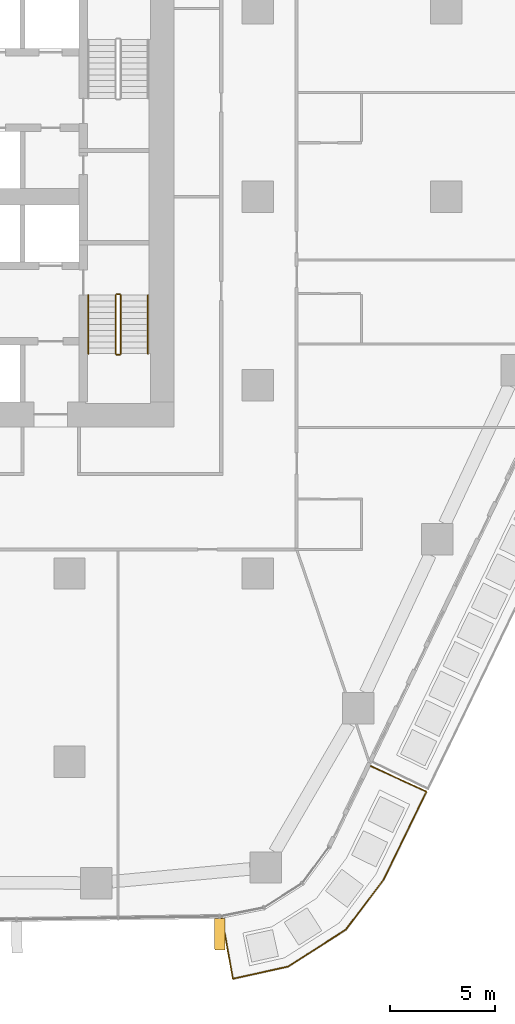
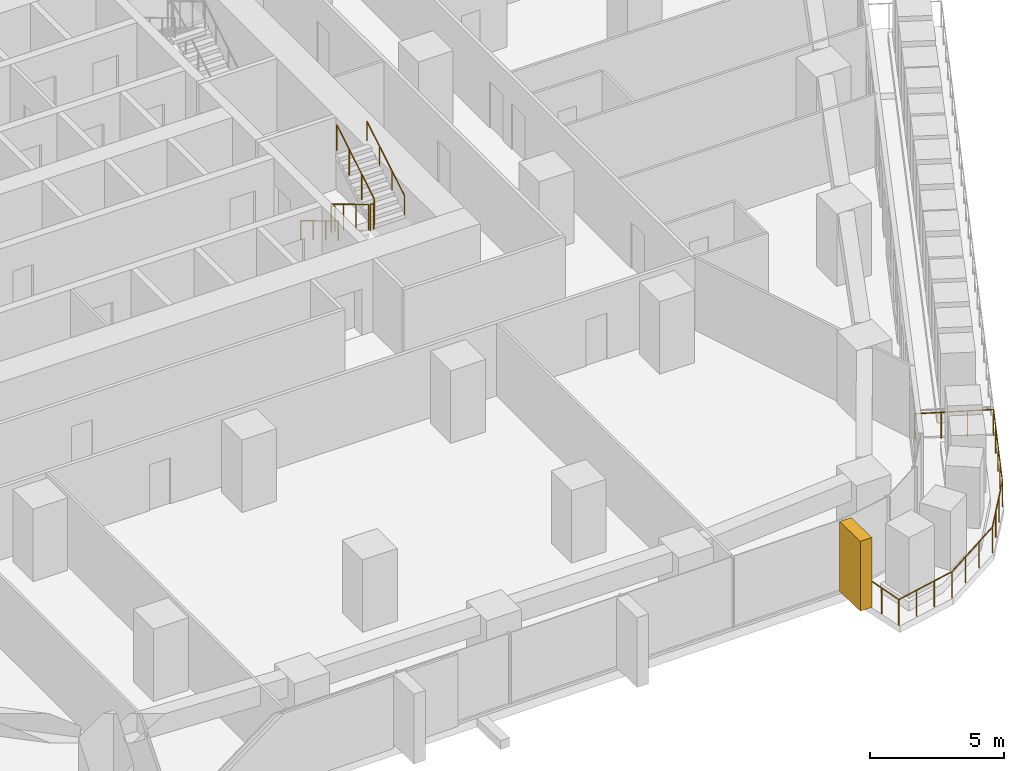
# One storey, part 20 of 24: 7 railings, 1 covering, 1 element without a shape of its own.
"""IFC4 building model written with IfcOpenShell, lengths in metres."""

from ifc_helpers import new_model, si_unit, direction, frame, origin, origin_2d, place, context, subcontext, project, spatial, rectangle, circle, extrude, material, layer, layer_set, material_profile, profile_set, type_object, element, aggregate, save


model = new_model("IFC4")

# Units and contexts
model_context = context("Model", 3, precision=1e-05, world=origin(), true_north=direction((0.0, 1.0)))
body_context = subcontext(model_context, "Body", "Model", "MODEL_VIEW")
ifc_project = project(units=[si_unit("LENGTHUNIT", "METRE"), si_unit("AREAUNIT", "SQUARE_METRE"), si_unit("VOLUMEUNIT", "CUBIC_METRE"), si_unit("PLANEANGLEUNIT", "RADIAN"), si_unit("MASSUNIT", "GRAM", prefix="KILO")], contexts=[model_context])

# Site, building, storey
site_placement = place(None, origin())
site = spatial("IfcSite", under=ifc_project, at=site_placement, CompositionType="ELEMENT")
building_placement = place(site_placement, origin())
building = spatial("IfcBuilding", under=site, at=building_placement, Name="Dongbaek Canopy Tower", CompositionType="ELEMENT")
storey_placement = place(building_placement, frame((0.0, 0.0, 44.0)))
storey = spatial("IfcBuildingStorey", under=building, at=storey_placement, Name="L06", CompositionType="ELEMENT", Elevation=44.0)

# Railing
ifc_material_1 = material(Name="Stainless steel", Category="steel")
railing_type_1 = type_object("IfcRailingType", Name="Balcony balustrade 1200", PredefinedType="BALUSTRADE", material=ifc_material_1)
railing_1_placement = place(storey_placement, frame((16.285400390625, -34.465576171875, 0.0)))
element("IfcRailing", 1, at=railing_1_placement, inside=storey, type_object=railing_type_1, Name="Balcony guard L06 7", PredefinedType="BALUSTRADE", context=body_context, shape_type="SweptSolid", body=[
    extrude(circle(Radius=0.02392578125, at=origin_2d()), frame((0.0, 0.0, 1.17578125), z_axis=(0.177592074624, -0.984104189114, 0.0), x_axis=(0.984104189114, 0.177592074624, 0.0)), (0.0, 0.0, 1.0), 2.9404296875),
    extrude(circle(Radius=0.02392578125, at=origin_2d()), frame((0.522216796875, -2.893798828125, 1.17578125), z_axis=(0.976442797021, 0.215776421663, 0.0), x_axis=(-0.215776421663, 0.976442797021, 0.0)), (0.0, 0.0, 1.0), 2.688232421875),
    extrude(circle(Radius=0.02392578125, at=origin_2d()), frame((3.147216796875, -2.313720703125, 1.17578125), z_axis=(0.843234796524, 0.537545419413, 0.0), x_axis=(-0.537545419413, 0.843234796524, 0.0)), (0.0, 0.0, 1.0), 3.27685546875),
    extrude(circle(Radius=0.02392578125, at=origin_2d()), frame((5.910400390625, -0.55224609375, 1.17578125), z_axis=(0.60281357482, 0.797882067735, 0.0), x_axis=(-0.797882067735, 0.60281357482, 0.0)), (0.0, 0.0, 1.0), 3.0087890625),
    extrude(circle(Radius=0.02392578125, at=origin_2d()), frame((7.72412109375, 1.848388671875, 1.17578125), z_axis=(0.43764971219, 0.899145555191, 0.0), x_axis=(-0.899145555191, 0.43764971219, 0.0)), (0.0, 0.0, 1.0), 4.668701171875),
    extrude(circle(Radius=0.02392578125, at=origin_2d()), frame((9.767333984375, 6.046142578125, 1.17578125), z_axis=(-0.908996672523, 0.416803370119, 0.0), x_axis=(-0.416803370119, -0.908996672523, 0.0)), (0.0, 0.0, 1.0), 2.9404296875),
    extrude(circle(Radius=0.02099609375, at=origin_2d()), origin(), (0.0, 0.0, 1.0), 1.15185546875),
    extrude(circle(Radius=0.02099609375, at=origin_2d()), frame((0.174072265625, -0.964599609375, 0.0)), (0.0, 0.0, 1.0), 1.15185546875),
    extrude(circle(Radius=0.02099609375, at=origin_2d()), frame((0.34814453125, -1.92919921875, 0.0)), (0.0, 0.0, 1.0), 1.15185546875),
    extrude(circle(Radius=0.02099609375, at=origin_2d()), frame((0.522216796875, -2.893798828125, 0.0)), (0.0, 0.0, 1.0), 1.15185546875),
    extrude(circle(Radius=0.02099609375, at=origin_2d()), frame((1.397216796875, -2.700439453125, 0.0)), (0.0, 0.0, 1.0), 1.15185546875),
    extrude(circle(Radius=0.02099609375, at=origin_2d()), frame((2.272216796875, -2.507080078125, 0.0)), (0.0, 0.0, 1.0), 1.15185546875),
    extrude(circle(Radius=0.02099609375, at=origin_2d()), frame((3.147216796875, -2.313720703125, 0.0)), (0.0, 0.0, 1.0), 1.15185546875),
    extrude(circle(Radius=0.02099609375, at=origin_2d()), frame((4.068359375, -1.7265625, 0.0)), (0.0, 0.0, 1.0), 1.15185546875),
    extrude(circle(Radius=0.02099609375, at=origin_2d()), frame((4.9892578125, -1.139404296875, 0.0)), (0.0, 0.0, 1.0), 1.15185546875),
    extrude(circle(Radius=0.02099609375, at=origin_2d()), frame((5.910400390625, -0.55224609375, 0.0)), (0.0, 0.0, 1.0), 1.15185546875),
    extrude(circle(Radius=0.02099609375, at=origin_2d()), frame((6.514892578125, 0.248046875, 0.0)), (0.0, 0.0, 1.0), 1.15185546875),
    extrude(circle(Radius=0.02099609375, at=origin_2d()), frame((7.11962890625, 1.048095703125, 0.0)), (0.0, 0.0, 1.0), 1.15185546875),
    extrude(circle(Radius=0.02099609375, at=origin_2d()), frame((7.72412109375, 1.848388671875, 0.0)), (0.0, 0.0, 1.0), 1.15185546875),
    extrude(circle(Radius=0.02099609375, at=origin_2d()), frame((8.23486328125, 2.89794921875, 0.0)), (0.0, 0.0, 1.0), 1.15185546875),
    extrude(circle(Radius=0.02099609375, at=origin_2d()), frame((8.74560546875, 3.947265625, 0.0)), (0.0, 0.0, 1.0), 1.15185546875),
    extrude(circle(Radius=0.02099609375, at=origin_2d()), frame((9.256591796875, 4.99658203125, 0.0)), (0.0, 0.0, 1.0), 1.15185546875),
    extrude(circle(Radius=0.02099609375, at=origin_2d()), frame((9.767333984375, 6.046142578125, 0.0)), (0.0, 0.0, 1.0), 1.15185546875),
    extrude(circle(Radius=0.02099609375, at=origin_2d()), frame((8.87646484375, 6.45458984375, 0.0)), (0.0, 0.0, 1.0), 1.15185546875),
    extrude(circle(Radius=0.02099609375, at=origin_2d()), frame((7.9853515625, 6.86328125, 0.0)), (0.0, 0.0, 1.0), 1.15185546875),
    extrude(circle(Radius=0.02099609375, at=origin_2d()), frame((7.094482421875, 7.271728515625, 0.0)), (0.0, 0.0, 1.0), 1.15185546875),
])

# Curtain wall, covering
ifc_material_2 = material(Name="Aluminium 6063-T6 pale anodised", Category="aluminium")
ifc_layer = layer(ifc_material_2, 0.199951171875)
ifc_layer_set = layer_set([ifc_layer], Name="CW-1 unitised tower curtain wall")
curtain_wall_type = type_object("IfcCurtainWallType", Name="CW-1 unitised tower curtain wall", PredefinedType="NOTDEFINED", material=ifc_layer_set)
curtain_wall_placement = place(storey_placement, origin())
curtain_wall = element("IfcCurtainWall", 2, at=curtain_wall_placement, inside=storey, type_object=curtain_wall_type, Name="CW-1 curtain wall F4.1", PredefinedType="NOTDEFINED")
ifc_material_3 = material(Name="Aluminium 6063-T6 pale metal fin", Category="aluminium")
ifc_material_profile = material_profile(ifc_material_3, rectangle(XDim=1.5, YDim=0.5, at=origin_2d()), Name="Fin FN1 500 x 1500 pale metal")
ifc_profile_set = profile_set([ifc_material_profile], Name="Aluminium 6063-T6 pale metal fin")
covering_type = type_object("IfcCoveringType", Name="Fin FN1 500 x 1500 pale metal", PredefinedType="CLADDING", material=ifc_profile_set)
covering_placement = place(storey_placement, frame((16.17919921875, -35.2373046875, 0.1201171875), z_axis=(0.0, 0.0, 1.0), x_axis=(0.014618811778, -0.999893139462, 0.0)))
covering = element("IfcCovering", 3, at=covering_placement, type_object=covering_type, Name="Fin F4.1.7", PredefinedType="CLADDING", context=body_context, shape_type="SweptSolid", body=[
    extrude(rectangle(XDim=1.5, YDim=0.5, at=origin_2d()), origin(), (0.0, 0.0, 1.0), 3.179931640625),
])
aggregate(curtain_wall, [covering])

# Railings
ifc_material_4 = material(Name="Stainless steel tube and balusters", Category="steel")
railing_type_2 = type_object("IfcRailingType", Name="Stair guard 1200", PredefinedType="GUARDRAIL", material=ifc_material_4)
railing_2_placement = place(storey_placement, frame((11.199951171875, -4.699951171875, 0.168212890625)))
element("IfcRailing", 4, at=railing_2_placement, inside=storey, type_object=railing_type_2, Name="L06 ST-B stair guard 1", PredefinedType="GUARDRAIL", context=body_context, shape_type="SweptSolid", body=[
    extrude(circle(Radius=0.02392578125, at=origin_2d()), frame((0.0, 0.0, 1.17578125), z_axis=(0.0, -0.857242210791, 0.514913383045), x_axis=(1.0, 0.0, 0.0)), (0.0, 0.0, 1.0), 3.266357421875),
    extrude(circle(Radius=0.02099609375, at=origin_2d()), origin(), (0.0, 0.0, 1.0), 1.15185546875),
    extrude(circle(Radius=0.02099609375, at=origin_2d()), frame((0.0, -0.933349609375, 0.560546875)), (0.0, 0.0, 1.0), 1.15185546875),
    extrude(circle(Radius=0.02099609375, at=origin_2d()), frame((0.0, -1.86669921875, 1.121337890625)), (0.0, 0.0, 1.0), 1.15185546875),
    extrude(circle(Radius=0.02099609375, at=origin_2d()), frame((0.0, -2.800048828125, 1.681884765625)), (0.0, 0.0, 1.0), 1.15185546875),
])
railing_3_placement = place(storey_placement, frame((11.25, -7.550048828125, 1.85009765625)))
element("IfcRailing", 5, at=railing_3_placement, inside=storey, type_object=railing_type_2, Name="L06 ST-B stair guard 2", PredefinedType="GUARDRAIL", context=body_context, shape_type="SweptSolid", body=[
    extrude(circle(Radius=0.02392578125, at=origin_2d()), frame((0.0, 0.0, 1.17578125), z_axis=(1.0, 0.0, 0.0), x_axis=(0.0, 1.0, 0.0)), (0.0, 0.0, 1.0), 0.14990234375),
    extrude(circle(Radius=0.02099609375, at=origin_2d()), origin(), (0.0, 0.0, 1.0), 1.15185546875),
    extrude(circle(Radius=0.02099609375, at=origin_2d()), frame((0.14990234375, 0.0, 0.0)), (0.0, 0.0, 1.0), 1.15185546875),
])
railing_4_placement = place(storey_placement, frame((11.449951171875, -7.5, 2.01806640625)))
element("IfcRailing", 6, at=railing_4_placement, inside=storey, type_object=railing_type_2, Name="L06 ST-B stair guard 3", PredefinedType="GUARDRAIL", context=body_context, shape_type="SweptSolid", body=[
    extrude(circle(Radius=0.02392578125, at=origin_2d()), frame((0.0, 0.0, 1.17578125), z_axis=(0.0, 0.857242210791, 0.514913383045), x_axis=(-1.0, 0.0, 0.0)), (0.0, 0.0, 1.0), 3.266357421875),
    extrude(circle(Radius=0.02099609375, at=origin_2d()), origin(), (0.0, 0.0, 1.0), 1.15185546875),
    extrude(circle(Radius=0.02099609375, at=origin_2d()), frame((0.0, 0.933349609375, 0.560546875)), (0.0, 0.0, 1.0), 1.15185546875),
    extrude(circle(Radius=0.02099609375, at=origin_2d()), frame((0.0, 1.86669921875, 1.121337890625)), (0.0, 0.0, 1.0), 1.15185546875),
    extrude(circle(Radius=0.02099609375, at=origin_2d()), frame((0.0, 2.800048828125, 1.681884765625)), (0.0, 0.0, 1.0), 1.15185546875),
])
railing_5_placement = place(storey_placement, frame((11.25, -4.64990234375, 0.0)))
element("IfcRailing", 7, at=railing_5_placement, inside=storey, type_object=railing_type_2, Name="L06 ST-B stair guard 4", PredefinedType="GUARDRAIL", context=body_context, shape_type="SweptSolid", body=[
    extrude(circle(Radius=0.02392578125, at=origin_2d()), frame((0.0, 0.0, 1.17578125), z_axis=(1.0, 0.0, 0.0), x_axis=(0.0, 1.0, 0.0)), (0.0, 0.0, 1.0), 0.14990234375),
    extrude(circle(Radius=0.02099609375, at=origin_2d()), origin(), (0.0, 0.0, 1.0), 1.15185546875),
    extrude(circle(Radius=0.02099609375, at=origin_2d()), frame((0.14990234375, 0.0, 0.0)), (0.0, 0.0, 1.0), 1.15185546875),
])
ifc_material_5 = material(Name="Stainless steel tube", Category="steel")
railing_type_3 = type_object("IfcRailingType", Name="Stair handrail 900", PredefinedType="HANDRAIL", material=ifc_material_5)
railing_6_placement = place(storey_placement, frame((9.89990234375, -4.699951171875, 0.168212890625)))
element("IfcRailing", 8, at=railing_6_placement, inside=storey, type_object=railing_type_3, Name="L06 ST-B stair handrail 1", PredefinedType="HANDRAIL", context=body_context, shape_type="SweptSolid", body=[
    extrude(circle(Radius=0.02392578125, at=origin_2d()), frame((0.0, 0.0, 0.8759765625), z_axis=(0.0, -0.857242210791, 0.514913383045), x_axis=(1.0, 0.0, 0.0)), (0.0, 0.0, 1.0), 3.266357421875),
    extrude(circle(Radius=0.02099609375, at=origin_2d()), origin(), (0.0, 0.0, 1.0), 0.851806640625),
    extrude(circle(Radius=0.02099609375, at=origin_2d()), frame((0.0, -0.933349609375, 0.560546875)), (0.0, 0.0, 1.0), 0.851806640625),
    extrude(circle(Radius=0.02099609375, at=origin_2d()), frame((0.0, -1.86669921875, 1.121337890625)), (0.0, 0.0, 1.0), 0.851806640625),
    extrude(circle(Radius=0.02099609375, at=origin_2d()), frame((0.0, -2.800048828125, 1.681884765625)), (0.0, 0.0, 1.0), 0.851806640625),
])
railing_7_placement = place(storey_placement, frame((12.75, -7.5, 2.01806640625)))
element("IfcRailing", 9, at=railing_7_placement, inside=storey, type_object=railing_type_3, Name="L06 ST-B stair handrail 2", PredefinedType="HANDRAIL", context=body_context, shape_type="SweptSolid", body=[
    extrude(circle(Radius=0.02392578125, at=origin_2d()), frame((0.0, 0.0, 0.8759765625), z_axis=(0.0, 0.857242210791, 0.514913383045), x_axis=(-1.0, 0.0, 0.0)), (0.0, 0.0, 1.0), 3.266357421875),
    extrude(circle(Radius=0.02099609375, at=origin_2d()), origin(), (0.0, 0.0, 1.0), 0.851806640625),
    extrude(circle(Radius=0.02099609375, at=origin_2d()), frame((0.0, 0.933349609375, 0.560546875)), (0.0, 0.0, 1.0), 0.851806640625),
    extrude(circle(Radius=0.02099609375, at=origin_2d()), frame((0.0, 1.86669921875, 1.121337890625)), (0.0, 0.0, 1.0), 0.851806640625),
    extrude(circle(Radius=0.02099609375, at=origin_2d()), frame((0.0, 2.800048828125, 1.681884765625)), (0.0, 0.0, 1.0), 0.851806640625),
])

save(model, "model.ifc")
